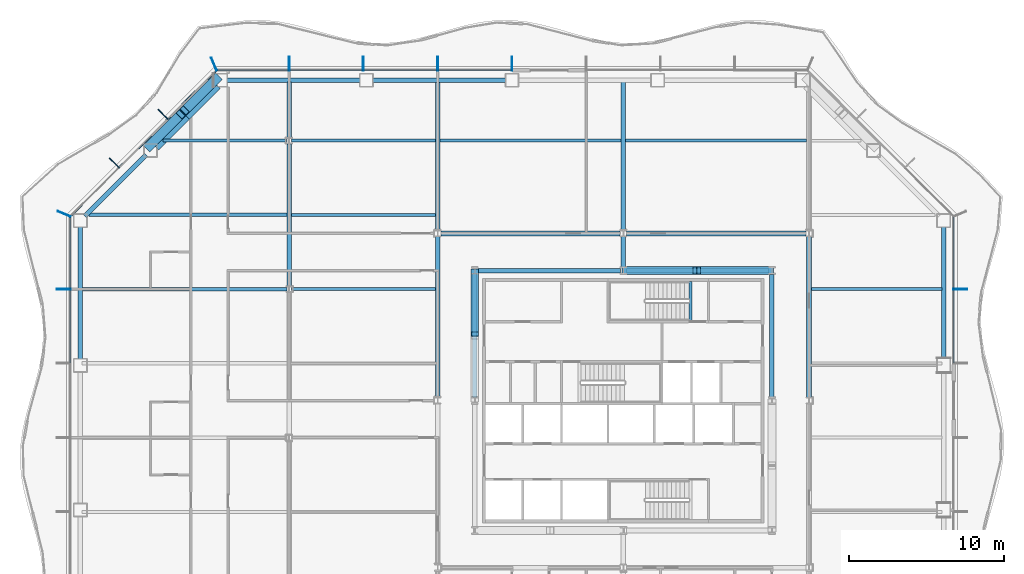
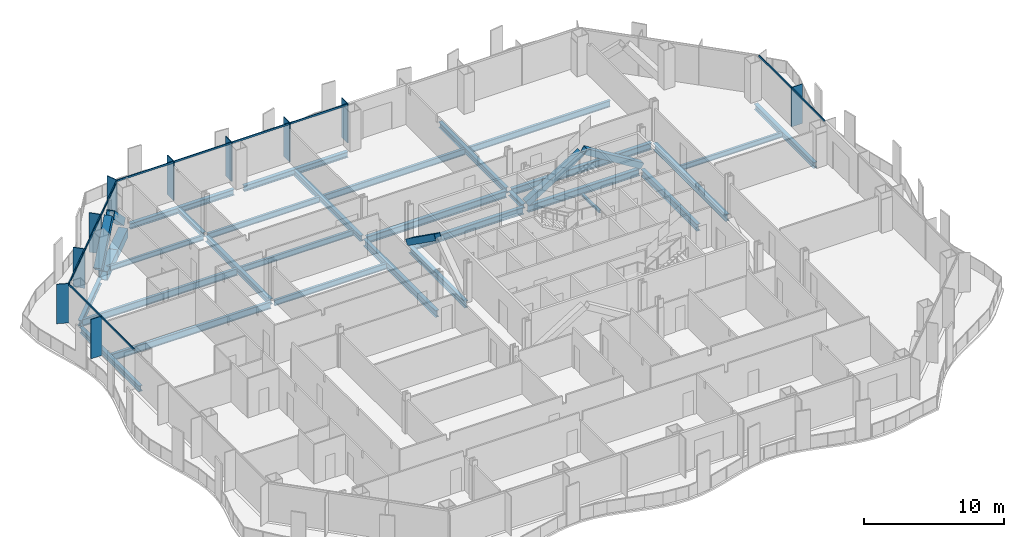
# One storey, part 3 of 18: 30 beams, 26 members, 4 elements without a shape of their own.
"""IFC4 building model written with IfcOpenShell, lengths in metres."""

from ifc_helpers import new_model, si_unit, direction, frame, origin, origin_2d, place, context, subcontext, project, spatial, rectangle, hollow_rectangle, i_section, extrude, material, material_profile, profile_set, type_object, element, aggregate, save


model = new_model("IFC4")

# Units and contexts
model_context = context("Model", 3, precision=1e-05, world=origin(), true_north=direction((0.0, 1.0)))
body_context = subcontext(model_context, "Body", "Model", "MODEL_VIEW")
ifc_project = project(units=[si_unit("LENGTHUNIT", "METRE"), si_unit("AREAUNIT", "SQUARE_METRE"), si_unit("VOLUMEUNIT", "CUBIC_METRE"), si_unit("PLANEANGLEUNIT", "RADIAN"), si_unit("MASSUNIT", "GRAM", prefix="KILO")], contexts=[model_context])

# Site, building, storey
site_placement = place(None, origin())
site = spatial("IfcSite", under=ifc_project, at=site_placement, CompositionType="ELEMENT")
building_placement = place(site_placement, origin())
building = spatial("IfcBuilding", under=site, at=building_placement, Name="Cairn Pilgrim Tower", CompositionType="ELEMENT")
storey_placement = place(building_placement, frame((0.0, 0.0, 76.199951171875)))
storey = spatial("IfcBuildingStorey", under=building, at=storey_placement, Name="L17", CompositionType="ELEMENT", Elevation=76.199951171875)

# Members
ifc_material_1 = material(Name="Structural steel S460M", Category="steel")
ifc_material_profile_1 = material_profile(ifc_material_1, hollow_rectangle(XDim=0.5, YDim=0.5, WallThickness=0.030029296875, at=origin_2d()), Name="BOX 500x500x30")
ifc_profile_set_1 = profile_set([ifc_material_profile_1], Name="Structural steel S460M")
member_type_1 = type_object("IfcMemberType", Name="BOX 500x500x30 BRACE", PredefinedType="BRACE", material=ifc_profile_set_1)
member_1_placement = place(storey_placement, frame((16.75634765625, 10.800048828125, 0.10009765625), z_axis=(-0.851002408489, 0.0, 0.525161785305), x_axis=(0.0, -1.0, 0.0)))
element("IfcMember", 1, at=member_1_placement, inside=storey, type_object=member_type_1, Name="KB-3A", PredefinedType="BRACE", context=body_context, shape_type="SweptSolid", body=[
    extrude(hollow_rectangle(XDim=0.5, YDim=0.5, WallThickness=0.030029296875, at=origin_2d()), origin(), (0.0, 0.0, 1.0), 5.526611328125),
])
member_2_placement = place(storey_placement, frame((7.24365234375, 10.800048828125, 0.10009765625), z_axis=(0.851007515624, 0.0, 0.525153509321), x_axis=(0.0, 1.0, 0.0)))
element("IfcMember", 2, at=member_2_placement, inside=storey, type_object=member_type_1, Name="KB-3B", PredefinedType="BRACE", context=body_context, shape_type="SweptSolid", body=[
    extrude(hollow_rectangle(XDim=0.5, YDim=0.5, WallThickness=0.030029296875, at=origin_2d()), origin(), (0.0, 0.0, 1.0), 5.37646484375),
])
member_3_placement = place(storey_placement, frame((-2.39990234375, 10.75634765625, 0.10009765625), z_axis=(0.0, -0.814198726233, 0.580586284889), x_axis=(1.0, 0.0, 0.0)))
element("IfcMember", 3, at=member_3_placement, inside=storey, type_object=member_type_1, Name="KB-4A", PredefinedType="BRACE", context=body_context, shape_type="SweptSolid", body=[
    extrude(hollow_rectangle(XDim=0.5, YDim=0.5, WallThickness=0.030029296875, at=origin_2d()), origin(), (0.0, 0.0, 1.0), 4.99658203125),
])
ifc_material_profile_2 = material_profile(ifc_material_1, hollow_rectangle(XDim=0.60009765625, YDim=0.60009765625, WallThickness=0.034912109375, at=origin_2d()), Name="BOX 600x600x35")
ifc_profile_set_2 = profile_set([ifc_material_profile_2], Name="Structural steel S460M")
member_type_2 = type_object("IfcMemberType", Name="BOX 600x600x35 BRACE", PredefinedType="BRACE", material=ifc_profile_set_2)
for number, where, z_axis, x_axis, name in (
    (4, (-19.078125, 23.2236328125, 0.150146484375), (-0.528943710525, -0.528943710525, 0.663654354459), (0.707106781187, -0.707106781187, 0.0), "XB-NW1-NW2-1"),
    (5, (-23.4873046875, 18.814697265625, 0.150146484375), (0.528960912345, 0.52889942671, 0.663675937214), (-0.70706568108, 0.707147878904, 0.0), "XB-NW1-NW2-2"),
):
    element("IfcMember", number, at=place(storey_placement, frame(where, z_axis=z_axis, x_axis=x_axis)), inside=storey, type_object=member_type_2, Name=name, PredefinedType="BRACE", context=body_context, shape_type="SweptSolid", body=[
        extrude(hollow_rectangle(XDim=0.60009765625, YDim=0.60009765625, WallThickness=0.034912109375, at=origin_2d()), origin(), (0.0, 0.0, 1.0), 3.970703125),
    ])

# Beams
ifc_material_2 = material(Name="Structural steel S355J2", Category="steel")
ifc_material_profile_3 = material_profile(ifc_material_2, hollow_rectangle(XDim=0.699951171875, YDim=0.800048828125, WallThickness=0.0400390625, at=origin_2d()), Name="BOX 700x800x40")
ifc_profile_set_3 = profile_set([ifc_material_profile_3], Name="Structural steel S355J2")
beam_type_1 = type_object("IfcBeamType", Name="BOX 700x800x40 RING GIRDER", PredefinedType="SPANDREL", material=ifc_profile_set_3)
beam_1_placement = place(storey_placement, frame((-19.113525390625, 22.813720703125, -0.550048828125), z_axis=(-0.707106781187, -0.707106781187, 0.0), x_axis=(0.707106781187, -0.707106781187, 0.0)))
element("IfcBeam", 6, at=beam_1_placement, inside=storey, type_object=beam_type_1, Name="RG1-NW1-NW2-1", PredefinedType="SPANDREL", context=body_context, shape_type="SweptSolid", body=[
    extrude(hollow_rectangle(XDim=0.699951171875, YDim=0.800048828125, WallThickness=0.0400390625, at=origin_2d()), origin(), (0.0, 0.0, 1.0), 2.802978515625),
])
beam_2_placement = place(storey_placement, frame((-21.095458984375, 20.831787109375, -0.550048828125), z_axis=(-0.707106781187, -0.707106781187, 0.0), x_axis=(0.707106781187, -0.707106781187, 0.0)))
element("IfcBeam", 7, at=beam_2_placement, inside=storey, type_object=beam_type_1, Name="RG1-NW1-NW2-2", PredefinedType="SPANDREL", context=body_context, shape_type="SweptSolid", body=[
    extrude(hollow_rectangle(XDim=0.699951171875, YDim=0.800048828125, WallThickness=0.0400390625, at=origin_2d()), origin(), (0.0, 0.0, 1.0), 2.802490234375),
])

# Curtain wall, member
ifc_material_3 = material(Name="Aluminium alloy 6063-T6 bronze anodised with Bronze tinted laminated low-E glass 8+16+8.8", Category="aluminium")
curtain_wall_type_1 = type_object("IfcCurtainWallType", Name="TOWER STICK CURTAIN WALL EW", PredefinedType="NOTDEFINED", material=ifc_material_3)
curtain_wall_1_placement = place(storey_placement, origin())
curtain_wall_1 = element("IfcCurtainWall", 8, at=curtain_wall_1_placement, inside=storey, type_object=curtain_wall_type_1, Name="Tower Stick Curtain Wall Ew E", PredefinedType="NOTDEFINED")
ifc_material_4 = material(Name="Aluminium alloy 6063-T6 bronze anodised", Category="aluminium")
ifc_material_profile_4 = material_profile(ifc_material_4, rectangle(XDim=0.89990234375, YDim=0.06005859375, at=origin_2d()), Name="FIN MULLION 60x900 BRONZE")
ifc_profile_set_4 = profile_set([ifc_material_profile_4], Name="Aluminium alloy 6063-T6 bronze anodised")
member_type_3 = type_object("IfcMemberType", Name="FIN MULLION 60x900 BRONZE", PredefinedType="MULLION", material=ifc_profile_set_4)
member_4_placement = place(storey_placement, frame((28.969970703125, 9.60009765625, 0.0), z_axis=(0.0, 0.0, 1.0), x_axis=(1.0, 0.0, 0.0)))
member_4 = element("IfcMember", 9, at=member_4_placement, type_object=member_type_3, Name="Fin mullion E6", PredefinedType="MULLION", context=body_context, shape_type="SweptSolid", body=[
    extrude(rectangle(XDim=0.89990234375, YDim=0.06005859375, at=origin_2d()), origin(), (0.0, 0.0, 1.0), 3.449951171875),
])

# Curtain wall, members
curtain_wall_type_2 = type_object("IfcCurtainWallType", Name="TOWER STICK CURTAIN WALL NS", PredefinedType="NOTDEFINED", material=ifc_material_3)
curtain_wall_2_placement = place(storey_placement, origin())
curtain_wall_2 = element("IfcCurtainWall", 10, at=curtain_wall_2_placement, inside=storey, type_object=curtain_wall_type_2, Name="Tower Stick Curtain Wall Ns N", PredefinedType="NOTDEFINED")
member_5_placement = place(storey_placement, frame((0.0, 24.169921875, 0.0), z_axis=(0.0, 0.0, 1.0), x_axis=(0.0, 1.0, 0.0)))
member_5 = element("IfcMember", 11, at=member_5_placement, type_object=member_type_3, Name="Fin mullion N5", PredefinedType="MULLION", context=body_context, shape_type="SweptSolid", body=[
    extrude(rectangle(XDim=0.89990234375, YDim=0.06005859375, at=origin_2d()), origin(), (0.0, 0.0, 1.0), 3.449951171875),
])
member_6_placement = place(storey_placement, frame((-4.800048828125, 24.169921875, 0.0), z_axis=(0.0, 0.0, 1.0), x_axis=(0.0, 1.0, 0.0)))
member_6 = element("IfcMember", 12, at=member_6_placement, type_object=member_type_3, Name="Fin mullion N6", PredefinedType="MULLION", context=body_context, shape_type="SweptSolid", body=[
    extrude(rectangle(XDim=0.89990234375, YDim=0.06005859375, at=origin_2d()), origin(), (0.0, 0.0, 1.0), 3.449951171875),
])
member_7_placement = place(storey_placement, frame((-9.60009765625, 24.169921875, 0.0), z_axis=(0.0, 0.0, 1.0), x_axis=(0.0, 1.0, 0.0)))
member_7 = element("IfcMember", 13, at=member_7_placement, type_object=member_type_3, Name="Fin mullion N7", PredefinedType="MULLION", context=body_context, shape_type="SweptSolid", body=[
    extrude(rectangle(XDim=0.89990234375, YDim=0.06005859375, at=origin_2d()), origin(), (0.0, 0.0, 1.0), 3.449951171875),
])
member_8_placement = place(storey_placement, frame((-14.39990234375, 24.169921875, 0.0), z_axis=(0.0, 0.0, 1.0), x_axis=(0.0, 1.0, 0.0)))
member_8 = element("IfcMember", 14, at=member_8_placement, type_object=member_type_3, Name="Fin mullion N8", PredefinedType="MULLION", context=body_context, shape_type="SweptSolid", body=[
    extrude(rectangle(XDim=0.89990234375, YDim=0.06005859375, at=origin_2d()), origin(), (0.0, 0.0, 1.0), 3.449951171875),
])

curtain_wall_type_3 = type_object("IfcCurtainWallType", Name="CHAMFER CORNER CURTAIN WALL", PredefinedType="NOTDEFINED", material=ifc_material_3)
curtain_wall_3_placement = place(storey_placement, origin())
curtain_wall_3 = element("IfcCurtainWall", 15, at=curtain_wall_3_placement, inside=storey, type_object=curtain_wall_type_3, Name="Chamfer Corner Curtain Wall NW", PredefinedType="NOTDEFINED")
member_9_placement = place(storey_placement, frame((-19.257080078125, 24.137939453125, 0.0), z_axis=(0.0, 0.0, 1.0), x_axis=(-0.382683432365, 0.923879532511, 0.0)))
member_9 = element("IfcMember", 16, at=member_9_placement, type_object=member_type_3, Name="Fin mullion NW1", PredefinedType="MULLION", context=body_context, shape_type="SweptSolid", body=[
    extrude(rectangle(XDim=0.89990234375, YDim=0.06005859375, at=origin_2d()), origin(), (0.0, 0.0, 1.0), 3.449951171875),
])
member_10_placement = place(storey_placement, frame((-22.544677734375, 20.895751953125, 0.0), z_axis=(0.0, 0.0, 1.0), x_axis=(-0.707106781187, 0.707106781187, 0.0)))
member_10 = element("IfcMember", 17, at=member_10_placement, type_object=member_type_3, Name="Fin mullion NW2", PredefinedType="MULLION", context=body_context, shape_type="SweptSolid", body=[
    extrude(rectangle(XDim=0.89990234375, YDim=0.06005859375, at=origin_2d()), origin(), (0.0, 0.0, 1.0), 3.449951171875),
])
member_11_placement = place(storey_placement, frame((-25.69580078125, 17.74462890625, 0.0), z_axis=(0.0, 0.0, 1.0), x_axis=(-0.707106781187, 0.707106781187, 0.0)))
member_11 = element("IfcMember", 18, at=member_11_placement, type_object=member_type_3, Name="Fin mullion NW3", PredefinedType="MULLION", context=body_context, shape_type="SweptSolid", body=[
    extrude(rectangle(XDim=0.89990234375, YDim=0.06005859375, at=origin_2d()), origin(), (0.0, 0.0, 1.0), 3.449951171875),
])

curtain_wall_4_placement = place(storey_placement, origin())
curtain_wall_4 = element("IfcCurtainWall", 19, at=curtain_wall_4_placement, inside=storey, type_object=curtain_wall_type_1, Name="Tower Stick Curtain Wall Ew W", PredefinedType="NOTDEFINED")
member_12_placement = place(storey_placement, frame((-28.93798828125, 14.457275390625, 0.0), z_axis=(0.0, 0.0, 1.0), x_axis=(-0.923879532511, 0.382683432365, 0.0)))
member_12 = element("IfcMember", 20, at=member_12_placement, type_object=member_type_3, Name="Fin mullion W1", PredefinedType="MULLION", context=body_context, shape_type="SweptSolid", body=[
    extrude(rectangle(XDim=0.89990234375, YDim=0.06005859375, at=origin_2d()), origin(), (0.0, 0.0, 1.0), 3.449951171875),
])
member_13_placement = place(storey_placement, frame((-28.969970703125, 9.60009765625, 0.0), z_axis=(0.0, 0.0, 1.0), x_axis=(-1.0, 0.0, 0.0)))
member_13 = element("IfcMember", 21, at=member_13_placement, type_object=member_type_3, Name="Fin mullion W2", PredefinedType="MULLION", context=body_context, shape_type="SweptSolid", body=[
    extrude(rectangle(XDim=0.89990234375, YDim=0.06005859375, at=origin_2d()), origin(), (0.0, 0.0, 1.0), 3.449951171875),
])

# Beams
ifc_material_profile_5 = material_profile(ifc_material_2, i_section(OverallWidth=0.300048828125, OverallDepth=0.39990234375, WebThickness=0.013427734375, FlangeThickness=0.02392578125, FilletRadius=0.027099609375, at=origin_2d()), Name="HEB 400")
ifc_profile_set_5 = profile_set([ifc_material_profile_5], Name="Structural steel S355J2")
beam_type_2 = type_object("IfcBeamType", Name="HEB 400 GIRDER", PredefinedType="BEAM", material=ifc_profile_set_5)
beam_3_placement = place(storey_placement, frame((-14.39990234375, 19.404541015625, -0.349853515625), z_axis=(0.0, 1.0, 0.0), x_axis=(-1.0, 0.0, 0.0)))
element("IfcBeam", 22, at=beam_3_placement, inside=storey, type_object=beam_type_2, Name="PG1-6", PredefinedType="BEAM", context=body_context, shape_type="SweptSolid", body=[
    extrude(i_section(OverallWidth=0.300048828125, OverallDepth=0.39990234375, WebThickness=0.013427734375, FlangeThickness=0.02392578125, FilletRadius=0.027099609375, at=origin_2d()), origin(), (0.0, 0.0, 1.0), 3.575439453125),
])
beam_4_placement = place(storey_placement, frame((7.199951171875, 11.0185546875, -0.349853515625), z_axis=(0.0, 1.0, 0.0), x_axis=(-1.0, 0.0, 0.0)))
element("IfcBeam", 23, at=beam_4_placement, inside=storey, type_object=beam_type_2, Name="PG3-E2", PredefinedType="BEAM", context=body_context, shape_type="SweptSolid", body=[
    extrude(i_section(OverallWidth=0.300048828125, OverallDepth=0.39990234375, WebThickness=0.013427734375, FlangeThickness=0.02392578125, FilletRadius=0.027099609375, at=origin_2d()), origin(), (0.0, 0.0, 1.0), 1.969482421875),
])
ifc_material_profile_6 = material_profile(ifc_material_2, i_section(OverallWidth=0.300048828125, OverallDepth=0.5, WebThickness=0.014404296875, FlangeThickness=0.028076171875, FilletRadius=0.027099609375, at=origin_2d()), Name="HEB 500")
ifc_profile_set_6 = profile_set([ifc_material_profile_6], Name="Structural steel S355J2")
beam_type_3 = type_object("IfcBeamType", Name="HEB 500 GIRDER", PredefinedType="BEAM", material=ifc_profile_set_6)
beam_5_placement = place(storey_placement, frame((-14.39990234375, 9.804443359375, -0.39990234375), z_axis=(0.0, 1.0, 0.0), x_axis=(-1.0, 0.0, 0.0)))
element("IfcBeam", 24, at=beam_5_placement, inside=storey, type_object=beam_type_3, Name="PG1-5", PredefinedType="BEAM", context=body_context, shape_type="SweptSolid", body=[
    extrude(i_section(OverallWidth=0.300048828125, OverallDepth=0.5, WebThickness=0.014404296875, FlangeThickness=0.028076171875, FilletRadius=0.027099609375, at=origin_2d()), origin(), (0.0, 0.0, 1.0), 9.191162109375),
])
for number, where, z_axis, x_axis, name in (
    (25, (-4.800048828125, 13.412109375, -0.39990234375), (0.0, 1.0, 0.0), (-1.0, 0.0, 0.0), "PG2-4"),
    (26, (7.199951171875, 13.412109375, -0.39990234375), (0.0, 1.0, 0.0), (-1.0, 0.0, 0.0), "PG3-2"),
):
    element("IfcBeam", number, at=place(storey_placement, frame(where, z_axis=z_axis, x_axis=x_axis)), inside=storey, type_object=beam_type_3, Name=name, PredefinedType="BEAM", context=body_context, shape_type="SweptSolid", body=[
        extrude(i_section(OverallWidth=0.300048828125, OverallDepth=0.5, WebThickness=0.014404296875, FlangeThickness=0.028076171875, FilletRadius=0.027099609375, at=origin_2d()), origin(), (0.0, 0.0, 1.0), 9.56787109375),
    ])
ifc_material_profile_7 = material_profile(ifc_material_2, i_section(OverallWidth=0.300048828125, OverallDepth=0.5, WebThickness=0.014404296875, FlangeThickness=0.028076171875, FilletRadius=0.027099609375, at=origin_2d()), Name="HEB 500")
ifc_profile_set_7 = profile_set([ifc_material_profile_7], Name="Structural steel S355J2")
beam_type_4 = type_object("IfcBeamType", Name="HEB 500 RING GIRDER", PredefinedType="SPANDREL", material=ifc_profile_set_7)
beam_6_placement = place(storey_placement, frame((27.89990234375, 5.080810546875, -0.39990234375), z_axis=(0.0, 1.0, 0.0), x_axis=(-1.0, 0.0, 0.0)))
element("IfcBeam", 27, at=beam_6_placement, inside=storey, type_object=beam_type_4, Name="RG1-E3-NE1", PredefinedType="SPANDREL", context=body_context, shape_type="SweptSolid", body=[
    extrude(i_section(OverallWidth=0.300048828125, OverallDepth=0.5, WebThickness=0.014404296875, FlangeThickness=0.028076171875, FilletRadius=0.027099609375, at=origin_2d()), origin(), (0.0, 0.0, 1.0), 8.54150390625),
])
for number, where, z_axis, x_axis, name in (
    (28, (-0.405029296875, 23.10009765625, -0.39990234375), (-1.0, 0.0, 0.0), (0.0, -1.0, 0.0), "RG1-N3-N4"),
    (29, (-9.818603515625, 23.10009765625, -0.39990234375), (-1.0, 0.0, 0.0), (0.0, -1.0, 0.0), "RG1-N4-NW1"),
):
    element("IfcBeam", number, at=place(storey_placement, frame(where, z_axis=z_axis, x_axis=x_axis)), inside=storey, type_object=beam_type_4, Name=name, PredefinedType="SPANDREL", context=body_context, shape_type="SweptSolid", body=[
        extrude(i_section(OverallWidth=0.300048828125, OverallDepth=0.5, WebThickness=0.014404296875, FlangeThickness=0.028076171875, FilletRadius=0.027099609375, at=origin_2d()), origin(), (0.0, 0.0, 1.0), 8.603515625),
    ])
beam_7_placement = place(storey_placement, frame((-23.64990234375, 18.277099609375, -0.39990234375), z_axis=(-0.707128558756, -0.707085002947, 0.0), x_axis=(0.707085002947, -0.707128558756, 0.0)))
element("IfcBeam", 30, at=beam_7_placement, inside=storey, type_object=beam_type_4, Name="RG1-NW2-W1", PredefinedType="SPANDREL", context=body_context, shape_type="SweptSolid", body=[
    extrude(i_section(OverallWidth=0.300048828125, OverallDepth=0.5, WebThickness=0.014404296875, FlangeThickness=0.028076171875, FilletRadius=0.027099609375, at=origin_2d()), origin(), (0.0, 0.0, 1.0), 5.605224609375),
])
beam_8_placement = place(storey_placement, frame((-27.89990234375, 13.622314453125, -0.39990234375), z_axis=(0.0, -1.0, 0.0), x_axis=(1.0, 0.0, 0.0)))
element("IfcBeam", 31, at=beam_8_placement, inside=storey, type_object=beam_type_4, Name="RG1-W1-W2", PredefinedType="SPANDREL", context=body_context, shape_type="SweptSolid", body=[
    extrude(i_section(OverallWidth=0.300048828125, OverallDepth=0.5, WebThickness=0.014404296875, FlangeThickness=0.028076171875, FilletRadius=0.027099609375, at=origin_2d()), origin(), (0.0, 0.0, 1.0), 8.54150390625),
])
ifc_material_profile_8 = material_profile(ifc_material_2, i_section(OverallWidth=0.300048828125, OverallDepth=0.60009765625, WebThickness=0.015380859375, FlangeThickness=0.030029296875, FilletRadius=0.027099609375, at=origin_2d()), Name="HEB 600")
ifc_profile_set_8 = profile_set([ifc_material_profile_8], Name="Structural steel S355J2")
beam_type_5 = type_object("IfcBeamType", Name="HEB 600 CORE BEAM", PredefinedType="BEAM", material=ifc_profile_set_8)
beam_9_placement = place(storey_placement, frame((16.800048828125, 2.5966796875, -0.449951171875), z_axis=(0.0, 1.0, 0.0), x_axis=(-1.0, 0.0, 0.0)))
element("IfcBeam", 32, at=beam_9_placement, inside=storey, type_object=beam_type_5, Name="CB-4", PredefinedType="BEAM", context=body_context, shape_type="SweptSolid", body=[
    extrude(i_section(OverallWidth=0.300048828125, OverallDepth=0.60009765625, WebThickness=0.015380859375, FlangeThickness=0.030029296875, FilletRadius=0.027099609375, at=origin_2d()), origin(), (0.0, 0.0, 1.0), 8.0068359375),
])
beam_10_placement = place(storey_placement, frame((16.603271484375, 10.800048828125, -0.449951171875), z_axis=(-1.0, 0.0, 0.0), x_axis=(0.0, -1.0, 0.0)))
element("IfcBeam", 33, at=beam_10_placement, inside=storey, type_object=beam_type_5, Name="CB-5", PredefinedType="BEAM", context=body_context, shape_type="SweptSolid", body=[
    extrude(i_section(OverallWidth=0.300048828125, OverallDepth=0.60009765625, WebThickness=0.015380859375, FlangeThickness=0.030029296875, FilletRadius=0.027099609375, at=origin_2d()), origin(), (0.0, 0.0, 1.0), 9.20654296875),
])
beam_11_placement = place(storey_placement, frame((7.00341796875, 10.800048828125, -0.449951171875), z_axis=(-1.0, 0.0, 0.0), x_axis=(0.0, -1.0, 0.0)))
element("IfcBeam", 34, at=beam_11_placement, inside=storey, type_object=beam_type_5, Name="CB-6", PredefinedType="BEAM", context=body_context, shape_type="SweptSolid", body=[
    extrude(i_section(OverallWidth=0.300048828125, OverallDepth=0.60009765625, WebThickness=0.015380859375, FlangeThickness=0.030029296875, FilletRadius=0.027099609375, at=origin_2d()), origin(), (0.0, 0.0, 1.0), 9.206787109375),
])
beam_12_placement = place(storey_placement, frame((-2.39990234375, 10.603515625, -0.449951171875), z_axis=(0.0, -1.0, 0.0), x_axis=(1.0, 0.0, 0.0)))
element("IfcBeam", 35, at=beam_12_placement, inside=storey, type_object=beam_type_5, Name="CB-7", PredefinedType="BEAM", context=body_context, shape_type="SweptSolid", body=[
    extrude(i_section(OverallWidth=0.300048828125, OverallDepth=0.60009765625, WebThickness=0.015380859375, FlangeThickness=0.030029296875, FilletRadius=0.027099609375, at=origin_2d()), origin(), (0.0, 0.0, 1.0), 8.0068359375),
])
ifc_material_profile_9 = material_profile(ifc_material_2, i_section(OverallWidth=0.300048828125, OverallDepth=0.60009765625, WebThickness=0.015380859375, FlangeThickness=0.030029296875, FilletRadius=0.027099609375, at=origin_2d()), Name="HEB 600")
ifc_profile_set_9 = profile_set([ifc_material_profile_9], Name="Structural steel S355J2")
beam_type_6 = type_object("IfcBeamType", Name="HEB 600 GIRDER", PredefinedType="BEAM", material=ifc_profile_set_9)
for number, where, z_axis, x_axis, name in (
    (36, (-4.800048828125, 2.612060546875, -0.449951171875), (0.0, 1.0, 0.0), (-1.0, 0.0, 0.0), "PG2-3"),
    (37, (19.199951171875, 2.612060546875, -0.449951171875), (0.0, 1.0, 0.0), (-1.0, 0.0, 0.0), "PG4-3"),
):
    element("IfcBeam", number, at=place(storey_placement, frame(where, z_axis=z_axis, x_axis=x_axis)), inside=storey, type_object=beam_type_6, Name=name, PredefinedType="BEAM", context=body_context, shape_type="SweptSolid", body=[
        extrude(i_section(OverallWidth=0.300048828125, OverallDepth=0.60009765625, WebThickness=0.015380859375, FlangeThickness=0.030029296875, FilletRadius=0.027099609375, at=origin_2d()), origin(), (0.0, 0.0, 1.0), 10.3759765625),
    ])
ifc_material_profile_10 = material_profile(ifc_material_2, i_section(OverallWidth=0.300048828125, OverallDepth=0.60009765625, WebThickness=0.015380859375, FlangeThickness=0.030029296875, FilletRadius=0.027099609375, at=origin_2d()), Name="HEB 600")
ifc_profile_set_10 = profile_set([ifc_material_profile_10], Name="Structural steel S355J2")
beam_type_7 = type_object("IfcBeamType", Name="HEB 600 INNER GIRDER", PredefinedType="BEAM", material=ifc_profile_set_10)
for number, where, z_axis, x_axis, name in (
    (38, (-4.587890625, 13.199951171875, -0.449951171875), (1.0, 0.0, 0.0), (0.0, 1.0, 0.0), "IG2-1"),
    (39, (7.412109375, 13.199951171875, -0.449951171875), (1.0, 0.0, 0.0), (0.0, 1.0, 0.0), "IG2-2"),
):
    element("IfcBeam", number, at=place(storey_placement, frame(where, z_axis=z_axis, x_axis=x_axis)), inside=storey, type_object=beam_type_7, Name=name, PredefinedType="BEAM", context=body_context, shape_type="SweptSolid", body=[
        extrude(i_section(OverallWidth=0.300048828125, OverallDepth=0.60009765625, WebThickness=0.015380859375, FlangeThickness=0.030029296875, FilletRadius=0.027099609375, at=origin_2d()), origin(), (0.0, 0.0, 1.0), 11.575927734375),
    ])
ifc_material_profile_11 = material_profile(ifc_material_2, i_section(OverallWidth=0.18994140625, OverallDepth=0.449951171875, WebThickness=0.009521484375, FlangeThickness=0.0146484375, FilletRadius=0.02099609375, at=origin_2d()), Name="IPE 450")
ifc_profile_set_11 = profile_set([ifc_material_profile_11], Name="Structural steel S355J2")
beam_type_8 = type_object("IfcBeamType", Name="IPE 450 SECONDARY BEAM", PredefinedType="JOIST", material=ifc_profile_set_11)
beam_13_placement = place(storey_placement, frame((19.35009765625, 9.60009765625, -0.375), z_axis=(1.0, 0.0, 0.0), x_axis=(0.0, 1.0, 0.0)))
element("IfcBeam", 40, at=beam_13_placement, inside=storey, type_object=beam_type_8, Name="SB7-3", PredefinedType="JOIST", context=body_context, shape_type="SweptSolid", body=[
    extrude(i_section(OverallWidth=0.18994140625, OverallDepth=0.449951171875, WebThickness=0.009521484375, FlangeThickness=0.0146484375, FilletRadius=0.02099609375, at=origin_2d()), origin(), (0.0, 0.0, 1.0), 8.429931640625),
])
beam_14_placement = place(storey_placement, frame((-22.545166015625, 19.199951171875, -0.375), z_axis=(1.0, 0.0, 0.0), x_axis=(0.0, 1.0, 0.0)))
element("IfcBeam", 41, at=beam_14_placement, inside=storey, type_object=beam_type_8, Name="SB9-1", PredefinedType="JOIST", context=body_context, shape_type="SweptSolid", body=[
    extrude(i_section(OverallWidth=0.18994140625, OverallDepth=0.449951171875, WebThickness=0.009521484375, FlangeThickness=0.0146484375, FilletRadius=0.02099609375, at=origin_2d()), origin(), (0.0, 0.0, 1.0), 7.9951171875),
])
ifc_material_profile_12 = material_profile(ifc_material_2, i_section(OverallWidth=0.199951171875, OverallDepth=0.5, WebThickness=0.01025390625, FlangeThickness=0.01611328125, FilletRadius=0.02099609375, at=origin_2d()), Name="IPE 500")
ifc_profile_set_12 = profile_set([ifc_material_profile_12], Name="Structural steel S355J2")
beam_type_9 = type_object("IfcBeamType", Name="IPE 500 SECONDARY BEAM", PredefinedType="JOIST", material=ifc_profile_set_12)
for number, where, z_axis, x_axis, name in (
    (42, (-14.25, 9.60009765625, -0.39990234375), (1.0, 0.0, 0.0), (0.0, 1.0, 0.0), "SB7-2"),
    (43, (-14.25, 14.39990234375, -0.39990234375), (1.0, 0.0, 0.0), (0.0, 1.0, 0.0), "SB8-2"),
    (44, (-14.25, 19.199951171875, -0.39990234375), (1.0, 0.0, 0.0), (0.0, 1.0, 0.0), "SB9-2"),
):
    element("IfcBeam", number, at=place(storey_placement, frame(where, z_axis=z_axis, x_axis=x_axis)), inside=storey, type_object=beam_type_9, Name=name, PredefinedType="JOIST", context=body_context, shape_type="SweptSolid", body=[
        extrude(i_section(OverallWidth=0.199951171875, OverallDepth=0.5, WebThickness=0.01025390625, FlangeThickness=0.01611328125, FilletRadius=0.02099609375, at=origin_2d()), origin(), (0.0, 0.0, 1.0), 9.300048828125),
    ])
ifc_material_profile_13 = material_profile(ifc_material_2, i_section(OverallWidth=0.2099609375, OverallDepth=0.550048828125, WebThickness=0.010986328125, FlangeThickness=0.01708984375, FilletRadius=0.02392578125, at=origin_2d()), Name="IPE 550")
ifc_profile_set_13 = profile_set([ifc_material_profile_13], Name="Structural steel S355J2")
beam_type_10 = type_object("IfcBeamType", Name="IPE 550 SECONDARY BEAM", PredefinedType="JOIST", material=ifc_profile_set_13)
for number, where, z_axis, x_axis, name in (
    (45, (-4.64990234375, 19.199951171875, -0.425048828125), (1.0, 0.0, 0.0), (0.0, 1.0, 0.0), "SB9-3"),
    (46, (7.35009765625, 19.199951171875, -0.425048828125), (1.0, 0.0, 0.0), (0.0, 1.0, 0.0), "SB9-4"),
):
    element("IfcBeam", number, at=place(storey_placement, frame(where, z_axis=z_axis, x_axis=x_axis)), inside=storey, type_object=beam_type_10, Name=name, PredefinedType="JOIST", context=body_context, shape_type="SweptSolid", body=[
        extrude(i_section(OverallWidth=0.2099609375, OverallDepth=0.550048828125, WebThickness=0.010986328125, FlangeThickness=0.01708984375, FilletRadius=0.02392578125, at=origin_2d()), origin(), (0.0, 0.0, 1.0), 11.699951171875),
    ])
ifc_material_profile_14 = material_profile(ifc_material_2, i_section(OverallWidth=0.219970703125, OverallDepth=0.60009765625, WebThickness=0.011962890625, FlangeThickness=0.01904296875, FilletRadius=0.02392578125, at=origin_2d()), Name="IPE 600")
ifc_profile_set_14 = profile_set([ifc_material_profile_14], Name="Structural steel S355J2")
beam_type_11 = type_object("IfcBeamType", Name="IPE 600 SECONDARY BEAM", PredefinedType="JOIST", material=ifc_profile_set_14)
beam_15_placement = place(storey_placement, frame((-27.780029296875, 9.60009765625, -0.449951171875), z_axis=(1.0, 0.0, 0.0), x_axis=(0.0, 1.0, 0.0)))
element("IfcBeam", 47, at=beam_15_placement, inside=storey, type_object=beam_type_11, Name="SB7-1", PredefinedType="JOIST", context=body_context, shape_type="SweptSolid", body=[
    extrude(i_section(OverallWidth=0.219970703125, OverallDepth=0.60009765625, WebThickness=0.011962890625, FlangeThickness=0.01904296875, FilletRadius=0.02392578125, at=origin_2d()), origin(), (0.0, 0.0, 1.0), 13.22998046875),
])
beam_16_placement = place(storey_placement, frame((-27.34521484375, 14.39990234375, -0.449951171875), z_axis=(1.0, 0.0, 0.0), x_axis=(0.0, 1.0, 0.0)))
element("IfcBeam", 48, at=beam_16_placement, inside=storey, type_object=beam_type_11, Name="SB8-1", PredefinedType="JOIST", context=body_context, shape_type="SweptSolid", body=[
    extrude(i_section(OverallWidth=0.219970703125, OverallDepth=0.60009765625, WebThickness=0.011962890625, FlangeThickness=0.01904296875, FilletRadius=0.02392578125, at=origin_2d()), origin(), (0.0, 0.0, 1.0), 12.795166015625),
])
ifc_material_profile_15 = material_profile(ifc_material_2, i_section(OverallWidth=0.199951171875, OverallDepth=0.199951171875, WebThickness=0.009033203125, FlangeThickness=0.014892578125, FilletRadius=0.01806640625, at=origin_2d()), Name="HE 200 B")
ifc_profile_set_15 = profile_set([ifc_material_profile_15], Name="Structural steel S355J2")
beam_type_12 = type_object("IfcBeamType", Name="STAIR LANDING BEAM HE 200 B", PredefinedType="BEAM", material=ifc_profile_set_15)
beam_17_placement = place(storey_placement, frame((11.5244140625, 10.10009765625, -0.25), z_axis=(0.0, -1.0, 0.0), x_axis=(1.0, 0.0, 0.0)))
element("IfcBeam", 49, at=beam_17_placement, inside=storey, type_object=beam_type_12, Name="STAIR LANDING BEAM LD-HE200B", PredefinedType="BEAM", context=body_context, shape_type="SweptSolid", body=[
    extrude(i_section(OverallWidth=0.199951171875, OverallDepth=0.199951171875, WebThickness=0.009033203125, FlangeThickness=0.014892578125, FilletRadius=0.01806640625, at=origin_2d()), origin(), (0.0, 0.0, 1.0), 2.525146484375),
])

# Member
ifc_material_profile_16 = material_profile(ifc_material_4, rectangle(XDim=0.080078125, YDim=0.14990234375, at=origin_2d()), Name="TRANSOM 80x150 BRONZE")
ifc_profile_set_16 = profile_set([ifc_material_profile_16], Name="Aluminium alloy 6063-T6 bronze anodised")
member_type_4 = type_object("IfcMemberType", Name="TRANSOM 80x150 BRONZE", PredefinedType="USERDEFINED", material=ifc_profile_set_16)
member_14_placement = place(storey_placement, frame((28.550048828125, 4.830078125, 3.375), z_axis=(0.0, 1.0, 0.0), x_axis=(-1.0, 0.0, 0.0)))
member_14 = element("IfcMember", 50, at=member_14_placement, type_object=member_type_4, Name="Transom E5", ObjectType="TRANSOM", PredefinedType="USERDEFINED", context=body_context, shape_type="SweptSolid", body=[
    extrude(rectangle(XDim=0.080078125, YDim=0.14990234375, at=origin_2d()), origin(), (0.0, 0.0, 1.0), 4.739990234375),
])

member_15_placement = place(storey_placement, frame((28.550048828125, 9.6298828125, 3.375), z_axis=(0.0, 1.0, 0.0), x_axis=(-1.0, 0.0, 0.0)))
member_15 = element("IfcMember", 51, at=member_15_placement, type_object=member_type_4, Name="Transom E6", ObjectType="TRANSOM", PredefinedType="USERDEFINED", context=body_context, shape_type="SweptSolid", body=[
    extrude(rectangle(XDim=0.080078125, YDim=0.14990234375, at=origin_2d()), origin(), (0.0, 0.0, 1.0), 4.62646484375),
])

aggregate(curtain_wall_1, [member_4, member_14, member_15])

member_16_placement = place(storey_placement, frame((-0.030029296875, 23.75, 3.375), z_axis=(-1.0, 0.0, 0.0), x_axis=(0.0, -1.0, 0.0)))
member_16 = element("IfcMember", 52, at=member_16_placement, type_object=member_type_4, Name="Transom N5", ObjectType="TRANSOM", PredefinedType="USERDEFINED", context=body_context, shape_type="SweptSolid", body=[
    extrude(rectangle(XDim=0.080078125, YDim=0.14990234375, at=origin_2d()), origin(), (0.0, 0.0, 1.0), 4.739990234375),
])

member_17_placement = place(storey_placement, frame((-4.830078125, 23.75, 3.375), z_axis=(-1.0, 0.0, 0.0), x_axis=(0.0, -1.0, 0.0)))
member_17 = element("IfcMember", 53, at=member_17_placement, type_object=member_type_4, Name="Transom N6", ObjectType="TRANSOM", PredefinedType="USERDEFINED", context=body_context, shape_type="SweptSolid", body=[
    extrude(rectangle(XDim=0.080078125, YDim=0.14990234375, at=origin_2d()), origin(), (0.0, 0.0, 1.0), 4.739990234375),
])

member_18_placement = place(storey_placement, frame((-9.6298828125, 23.75, 3.375), z_axis=(-1.0, 0.0, 0.0), x_axis=(0.0, -1.0, 0.0)))
member_18 = element("IfcMember", 54, at=member_18_placement, type_object=member_type_4, Name="Transom N7", ObjectType="TRANSOM", PredefinedType="USERDEFINED", context=body_context, shape_type="SweptSolid", body=[
    extrude(rectangle(XDim=0.080078125, YDim=0.14990234375, at=origin_2d()), origin(), (0.0, 0.0, 1.0), 4.740234375),
])

member_19_placement = place(storey_placement, frame((-14.429931640625, 23.75, 3.375), z_axis=(-1.0, 0.0, 0.0), x_axis=(0.0, -1.0, 0.0)))
member_19 = element("IfcMember", 55, at=member_19_placement, type_object=member_type_4, Name="Transom N8", ObjectType="TRANSOM", PredefinedType="USERDEFINED", context=body_context, shape_type="SweptSolid", body=[
    extrude(rectangle(XDim=0.080078125, YDim=0.14990234375, at=origin_2d()), origin(), (0.0, 0.0, 1.0), 4.62646484375),
])

aggregate(curtain_wall_2, [member_5, member_6, member_7, member_8, member_16, member_17, member_18, member_19])

member_20_placement = place(storey_placement, frame((-19.124755859375, 23.7216796875, 3.375), z_axis=(-0.707106781187, -0.707106781187, 0.0), x_axis=(0.707106781187, -0.707106781187, 0.0)))
member_20 = element("IfcMember", 56, at=member_20_placement, type_object=member_type_4, Name="Transom NW1", ObjectType="TRANSOM", PredefinedType="USERDEFINED", context=body_context, shape_type="SweptSolid", body=[
    extrude(rectangle(XDim=0.080078125, YDim=0.14990234375, at=origin_2d()), origin(), (0.0, 0.0, 1.0), 4.38623046875),
])

member_21_placement = place(storey_placement, frame((-22.268798828125, 20.57763671875, 3.375), z_axis=(-0.707106781187, -0.707106781187, 0.0), x_axis=(0.707106781187, -0.707106781187, 0.0)))
member_21 = element("IfcMember", 57, at=member_21_placement, type_object=member_type_4, Name="Transom NW2", ObjectType="TRANSOM", PredefinedType="USERDEFINED", context=body_context, shape_type="SweptSolid", body=[
    extrude(rectangle(XDim=0.080078125, YDim=0.14990234375, at=origin_2d()), origin(), (0.0, 0.0, 1.0), 4.396728515625),
])

member_22_placement = place(storey_placement, frame((-25.419921875, 17.426513671875, 3.375), z_axis=(-0.707106781187, -0.707106781187, 0.0), x_axis=(0.707106781187, -0.707106781187, 0.0)))
member_22 = element("IfcMember", 58, at=member_22_placement, type_object=member_type_4, Name="Transom NW3", ObjectType="TRANSOM", PredefinedType="USERDEFINED", context=body_context, shape_type="SweptSolid", body=[
    extrude(rectangle(XDim=0.080078125, YDim=0.14990234375, at=origin_2d()), origin(), (0.0, 0.0, 1.0), 4.38671875),
])

aggregate(curtain_wall_3, [member_9, member_10, member_11, member_20, member_21, member_22])

member_23_placement = place(storey_placement, frame((-28.550048828125, 14.25634765625, 3.375), z_axis=(0.0, -1.0, 0.0), x_axis=(1.0, 0.0, 0.0)))
member_23 = element("IfcMember", 59, at=member_23_placement, type_object=member_type_4, Name="Transom W1", ObjectType="TRANSOM", PredefinedType="USERDEFINED", context=body_context, shape_type="SweptSolid", body=[
    extrude(rectangle(XDim=0.080078125, YDim=0.14990234375, at=origin_2d()), origin(), (0.0, 0.0, 1.0), 4.62646484375),
])

member_24_placement = place(storey_placement, frame((-28.550048828125, 9.570068359375, 3.375), z_axis=(0.0, -1.0, 0.0), x_axis=(1.0, 0.0, 0.0)))
member_24 = element("IfcMember", 60, at=member_24_placement, type_object=member_type_4, Name="Transom W2", ObjectType="TRANSOM", PredefinedType="USERDEFINED", context=body_context, shape_type="SweptSolid", body=[
    extrude(rectangle(XDim=0.080078125, YDim=0.14990234375, at=origin_2d()), origin(), (0.0, 0.0, 1.0), 4.739990234375),
])

aggregate(curtain_wall_4, [member_12, member_13, member_23, member_24])

save(model, "model.ifc")
